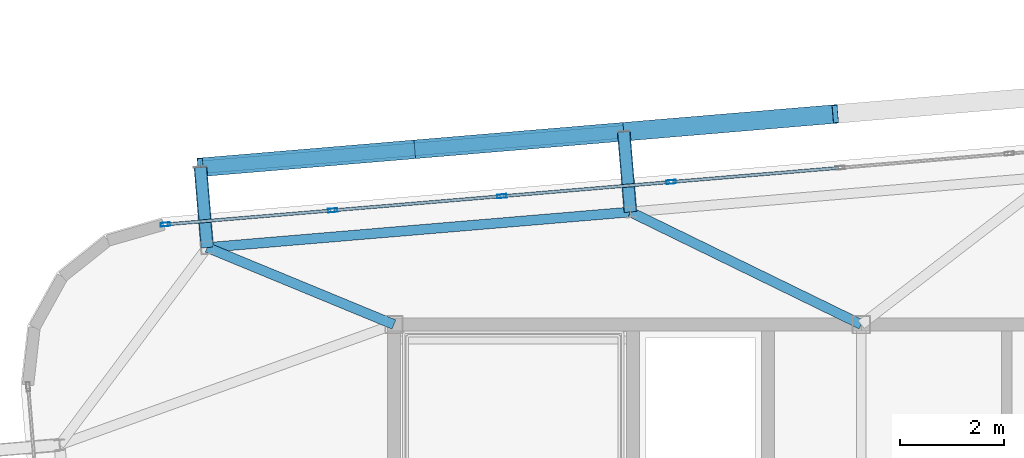
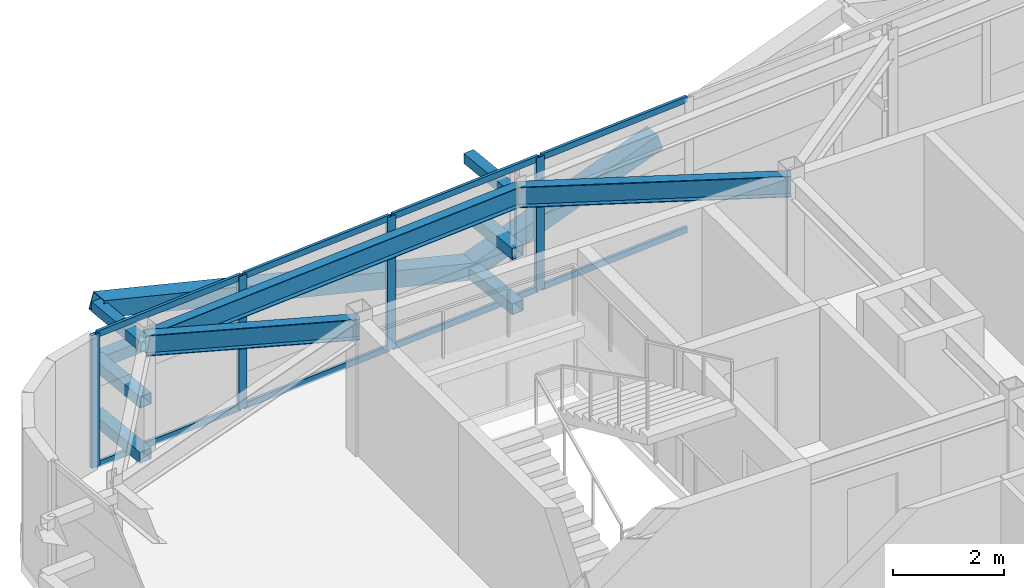
# One storey, part 27 of 46: 22 members, 3 beams, 1 element without a shape of its own.
"""IFC4 building model written with IfcOpenShell, lengths in metres."""

from ifc_helpers import new_model, si_unit, direction, frame, origin, origin_2d, place, context, subcontext, project, spatial, hollow_rectangle, i_section, extrude, source, transform, mapped, material, layer, layer_set, material_profile, profile_set, type_object, element, aggregate, save


model = new_model("IFC4")

# Units and contexts
model_context = context("Model", 3, precision=1e-05, world=origin(), true_north=direction((0.0, 1.0)))
body_context = subcontext(model_context, "Body", "Model", "MODEL_VIEW")
ifc_project = project(units=[si_unit("LENGTHUNIT", "METRE"), si_unit("AREAUNIT", "SQUARE_METRE"), si_unit("VOLUMEUNIT", "CUBIC_METRE"), si_unit("PLANEANGLEUNIT", "RADIAN"), si_unit("MASSUNIT", "GRAM", prefix="KILO")], contexts=[model_context])

# Site, building, storey
site_placement = place(None, origin())
site = spatial("IfcSite", under=ifc_project, at=site_placement, CompositionType="ELEMENT")
building_placement = place(site_placement, origin())
building = spatial("IfcBuilding", under=site, at=building_placement, Name="Taldren Reach Tower", CompositionType="ELEMENT")
storey_placement = place(building_placement, frame((0.0, 0.0, 194.60009765625)))
storey = spatial("IfcBuildingStorey", under=building, at=storey_placement, Name="L59", CompositionType="ELEMENT", Elevation=194.60009765625)

# Members
ifc_material_1 = material(Name="Steel Gr 350 (C350L0)", Category="steel")
ifc_material_profile_1 = material_profile(ifc_material_1, hollow_rectangle(XDim=0.25, YDim=0.25, WallThickness=0.010009765625, at=origin_2d()), Name="250x250x10.0SHS")
ifc_profile_set_1 = profile_set([ifc_material_profile_1], Name="Steel Gr 350 (C350L0)")
member_type_1 = type_object("IfcMemberType", Name="MB-POST250", PredefinedType="POST", material=ifc_profile_set_1)
shared_shape_1 = source(origin(), body_context, "Body", "SweptSolid", [
    extrude(hollow_rectangle(XDim=0.25, YDim=0.25, WallThickness=0.010009765625, at=origin_2d()), origin(), (0.0, 0.0, 1.0), 1.5498046875),
])
for number, where, z_axis, x_axis, name in (
    (1, (15.40380859375, 33.483642578125, 0.219970703125), (-0.083645141657, 0.996495604746, 0.0), (-0.996495604746, -0.083645141657, 0.0), "Exoskeleton base diaphragm tie strut B4-N1 L59"),
    (2, (15.40380859375, 33.483642578125, 1.434814453125), (-0.083645141657, 0.996495604746, 0.0), (-0.996495604746, -0.083645141657, 0.0), "Exoskeleton mid-tier diaphragm tie B4-N1 L59"),
):
    element("IfcMember", number, at=place(storey_placement, frame(where, z_axis=z_axis, x_axis=x_axis)), inside=storey, type_object=member_type_1, Name=name, PredefinedType="POST", context=body_context, shape_type="MappedRepresentation", body=[
        mapped(shared_shape_1, transform((0.0, 0.0, 0.0), scale=1.0)),
    ])
shared_shape_2 = source(origin(), body_context, "Body", "SweptSolid", [
    extrude(hollow_rectangle(XDim=0.25, YDim=0.25, WallThickness=0.010009765625, at=origin_2d()), origin(), (0.0, 0.0, 1.0), 1.550048828125),
])
for number, where, z_axis, x_axis, name in (
    (3, (23.55517578125, 34.16796875, 0.219970703125), (-0.083788408178, 0.996483568683, 0.0), (-0.996483568683, -0.083788408178, 0.0), "Exoskeleton base diaphragm tie strut B4-N2 L59"),
    (4, (23.55517578125, 34.16796875, 1.434814453125), (-0.083788408178, 0.996483568683, 0.0), (-0.996483568683, -0.083788408178, 0.0), "Exoskeleton mid-tier diaphragm tie B4-N2 L59"),
):
    element("IfcMember", number, at=place(storey_placement, frame(where, z_axis=z_axis, x_axis=x_axis)), inside=storey, type_object=member_type_1, Name=name, PredefinedType="POST", context=body_context, shape_type="MappedRepresentation", body=[
        mapped(shared_shape_2, transform((0.0, 0.0, 0.0), scale=1.0)),
    ])

# Beams
ifc_material_2 = material(Name="Steel Gr 350 (350PLUS)", Category="steel")
ifc_material_profile_2 = material_profile(ifc_material_2, i_section(OverallWidth=0.18994140625, OverallDepth=0.4541015625, WebThickness=0.008544921875, FlangeThickness=0.0126953125, at=origin_2d()), Name="460UB67.1")
ifc_profile_set_2 = profile_set([ifc_material_profile_2], Name="Steel Gr 350 (350PLUS)")
beam_type_1 = type_object("IfcBeamType", Name="SP-UB460B", PredefinedType="SPANDREL", material=ifc_profile_set_2)
shared_shape_3 = source(origin(), body_context, "Body", "SweptSolid", [
    extrude(i_section(OverallWidth=0.18994140625, OverallDepth=0.4541015625, WebThickness=0.008544921875, FlangeThickness=0.0126953125, at=origin_2d()), origin(), (0.0, 0.0, 1.0), 8.179931640625),
])
beam_1_placement = place(storey_placement, frame((23.55517578125, 34.16796875, 2.702880859375), z_axis=(-0.996494523218, -0.083658025296, 0.0), x_axis=(0.083658025296, -0.996494523218, 0.0)))
element("IfcBeam", 5, at=beam_1_placement, inside=storey, type_object=beam_type_1, Name="Perimeter spandrel B4 N2-N1 L59", PredefinedType="SPANDREL", context=body_context, shape_type="MappedRepresentation", body=[
    mapped(shared_shape_3, transform((0.0, 0.0, 0.0), scale=1.0)),
])
ifc_material_profile_3 = material_profile(ifc_material_2, i_section(OverallWidth=0.19091796875, OverallDepth=0.4599609375, WebThickness=0.010009765625, FlangeThickness=0.01611328125, at=origin_2d()), Name="460UB82.1")
ifc_profile_set_3 = profile_set([ifc_material_profile_3], Name="Steel Gr 350 (350PLUS)")
beam_type_2 = type_object("IfcBeamType", Name="BM-UB460A", PredefinedType="BEAM", material=ifc_profile_set_3)
shared_shape_4 = source(origin(), body_context, "Body", "SweptSolid", [
    extrude(i_section(OverallWidth=0.19091796875, OverallDepth=0.4599609375, WebThickness=0.010009765625, FlangeThickness=0.01611328125, at=origin_2d()), origin(), (0.0, 0.0, 1.0), 4.9453125),
])
beam_2_placement = place(storey_placement, frame((28.0, 32.0, 2.699951171875), z_axis=(-0.898787423235, 0.438384725823, 0.0), x_axis=(-0.438384725823, -0.898787423235, 0.0)))
element("IfcBeam", 6, at=beam_2_placement, inside=storey, type_object=beam_type_2, Name="Primary floor girder B4-N2 L59", PredefinedType="BEAM", context=body_context, shape_type="MappedRepresentation", body=[
    mapped(shared_shape_4, transform((0.0, 0.0, 0.0), scale=1.0)),
])
shared_shape_5 = source(origin(), body_context, "Body", "SweptSolid", [
    extrude(i_section(OverallWidth=0.19091796875, OverallDepth=0.4599609375, WebThickness=0.010009765625, FlangeThickness=0.01611328125, at=origin_2d()), origin(), (0.0, 0.0, 1.0), 3.89013671875),
])
beam_3_placement = place(storey_placement, frame((19.0, 32.0, 2.699951171875), z_axis=(-0.924419242179, 0.381377850287, 0.0), x_axis=(-0.381377850287, -0.924419242179, 0.0)))
element("IfcBeam", 7, at=beam_3_placement, inside=storey, type_object=beam_type_2, Name="Primary floor girder B4-N1 L59", PredefinedType="BEAM", context=body_context, shape_type="MappedRepresentation", body=[
    mapped(shared_shape_5, transform((0.0, 0.0, 0.0), scale=1.0)),
])

# Members
ifc_material_3 = material(Name="Steel Gr 450 (C450L0)", Category="steel")
ifc_material_profile_4 = material_profile(ifc_material_3, hollow_rectangle(XDim=0.219970703125, YDim=0.219970703125, WallThickness=0.00830078125, at=origin_2d()), Name="220x220x8.2SHS")
ifc_profile_set_4 = profile_set([ifc_material_profile_4], Name="Steel Gr 450 (C450L0)")
member_type_2 = type_object("IfcMemberType", Name="MB-TIE219", PredefinedType="STRUT", material=ifc_profile_set_4)
shared_shape_6 = source(origin(), body_context, "Body", "SweptSolid", [
    extrude(hollow_rectangle(XDim=0.219970703125, YDim=0.219970703125, WallThickness=0.00830078125, at=origin_2d()), origin(), (0.0, 0.0, 1.0), 1.5498046875),
])
member_1_placement = place(storey_placement, frame((15.40380859375, 33.483642578125, 2.64990234375), z_axis=(-0.083645141657, 0.996495604746, 0.0), x_axis=(-0.996495604746, -0.083645141657, 0.0)))
element("IfcMember", 8, at=member_1_placement, inside=storey, type_object=member_type_2, Name="Exoskeleton diaphragm tie strut B4-N1 L59", PredefinedType="STRUT", context=body_context, shape_type="MappedRepresentation", body=[
    mapped(shared_shape_6, transform((0.0, 0.0, 0.0), scale=1.0)),
])
shared_shape_7 = source(origin(), body_context, "Body", "SweptSolid", [
    extrude(hollow_rectangle(XDim=0.219970703125, YDim=0.219970703125, WallThickness=0.00830078125, at=origin_2d()), origin(), (0.0, 0.0, 1.0), 1.550048828125),
])
member_2_placement = place(storey_placement, frame((23.55517578125, 34.16796875, 2.64990234375), z_axis=(-0.083788408178, 0.996483568683, 0.0), x_axis=(-0.996483568683, -0.083788408178, 0.0)))
element("IfcMember", 9, at=member_2_placement, inside=storey, type_object=member_type_2, Name="Exoskeleton diaphragm tie strut B4-N2 L59", PredefinedType="STRUT", context=body_context, shape_type="MappedRepresentation", body=[
    mapped(shared_shape_7, transform((0.0, 0.0, 0.0), scale=1.0)),
])
shared_shape_8 = source(origin(), body_context, "Body", "SweptSolid", [
    extrude(hollow_rectangle(XDim=0.25, YDim=0.25, WallThickness=0.010009765625, at=origin_2d()), origin(), (0.0, 0.0, 1.0), 8.179931640625),
])
member_3_placement = place(storey_placement, frame((15.274169921875, 35.028076171875, 1.434814453125), z_axis=(0.99649182565, 0.08369015123, 0.0), x_axis=(-0.08369015123, 0.99649182565, 0.0)))
element("IfcMember", 10, at=member_3_placement, inside=storey, type_object=member_type_1, Name="Exoskeleton mid-height ring chord B4-N1 L59", PredefinedType="POST", context=body_context, shape_type="MappedRepresentation", body=[
    mapped(shared_shape_8, transform((0.0, 0.0, 0.0), scale=1.0)),
])
ifc_material_profile_5 = material_profile(ifc_material_3, hollow_rectangle(XDim=0.360107421875, YDim=0.360107421875, WallThickness=0.0126953125, at=origin_2d()), Name="360x360x12.7SHS")
ifc_profile_set_5 = profile_set([ifc_material_profile_5], Name="Steel Gr 450 (C450L0)")
member_type_3 = type_object("IfcMemberType", Name="MB-EXO356", PredefinedType="BRACE", material=ifc_profile_set_5)
shared_shape_9 = source(origin(), body_context, "Body", "SweptSolid", [
    extrude(hollow_rectangle(XDim=0.360107421875, YDim=0.360107421875, WallThickness=0.0126953125, at=origin_2d()), origin(), (0.0, 0.0, 1.0), 4.2666015625),
])
for number, where, z_axis, x_axis, name in (
    (11, (19.349853515625, 35.370361328125, 1.434814453125), (-0.955229159097, -0.080222312271, 0.284783486572), (0.083687662192, -0.996492034688, 0.0), "Exoskeleton Diagrid Brace B4-N1 L59"),
    (12, (23.42529296875, 35.712646484375, 0.219970703125), (0.955244723646, 0.080223619417, 0.284730906006), (-0.083687662192, 0.996492034688, 0.0), "Exoskeleton Diagrid Brace B4-N2 L59"),
):
    element("IfcMember", number, at=place(storey_placement, frame(where, z_axis=z_axis, x_axis=x_axis)), inside=storey, type_object=member_type_3, Name=name, PredefinedType="BRACE", context=body_context, shape_type="MappedRepresentation", body=[
        mapped(shared_shape_9, transform((0.0, 0.0, 0.0), scale=1.0)),
    ])
shared_shape_10 = source(origin(), body_context, "Body", "SweptSolid", [
    extrude(hollow_rectangle(XDim=0.360107421875, YDim=0.360107421875, WallThickness=0.0126953125, at=origin_2d()), origin(), (0.0, 0.0, 1.0), 4.266357421875),
])
member_4_placement = place(storey_placement, frame((23.42529296875, 35.712646484375, 0.219970703125), z_axis=(-0.955239715981, -0.080228004661, 0.28474647018), x_axis=(0.083692640416, -0.996491616593, 0.0)))
element("IfcMember", 13, at=member_4_placement, inside=storey, type_object=member_type_3, Name="Exoskeleton Diagrid Brace B4-N1 L59", PredefinedType="BRACE", context=body_context, shape_type="MappedRepresentation", body=[
    mapped(shared_shape_10, transform((0.0, 0.0, 0.0), scale=1.0)),
])

# Curtain wall, members
ifc_material_4 = material(Name="Aluminium and Low-E Glass Unitised System", Category="aluminium")
ifc_layer = layer(ifc_material_4, 0.159912109375)
ifc_layer_set = layer_set([ifc_layer], Name="Aluminium and Low-E Glass Unitised System")
curtain_wall_type = type_object("IfcCurtainWallType", Name="CW-SYS-5", PredefinedType="NOTDEFINED", material=ifc_layer_set)
curtain_wall_placement = place(storey_placement, origin())
curtain_wall = element("IfcCurtainWall", 14, at=curtain_wall_placement, inside=storey, type_object=curtain_wall_type, Name="Unitised curtain wall CW-L59-N", PredefinedType="NOTDEFINED")
ifc_material_5 = material(Name="Anodised Aluminium 6063-T6", Category="aluminium")
ifc_material_profile_6 = material_profile(ifc_material_5, hollow_rectangle(XDim=0.070068359375, YDim=0.179931640625, WallThickness=0.00390625, at=origin_2d()), Name="ALU-180x70x4RHS")
ifc_profile_set_6 = profile_set([ifc_material_profile_6], Name="Anodised Aluminium 6063-T6")
member_type_4 = type_object("IfcMemberType", Name="CW-MUL-180", PredefinedType="MULLION", material=ifc_profile_set_6)
shared_shape_11 = source(origin(), body_context, "Body", "SweptSolid", [
    extrude(hollow_rectangle(XDim=0.070068359375, YDim=0.179931640625, WallThickness=0.00390625, at=origin_2d()), origin(), (0.0, 0.0, 1.0), 2.929931640625),
])
member_5_placement = place(storey_placement, frame((24.337158203125, 34.74560546875, 0.0), z_axis=(0.0, 0.0, 1.0), x_axis=(0.083677875247, -0.99649285657, 0.0)))
member_5 = element("IfcMember", 15, at=member_5_placement, type_object=member_type_4, Name="CW-5 mullion 11", PredefinedType="MULLION", context=body_context, shape_type="MappedRepresentation", body=[
    mapped(shared_shape_11, transform((0.0, 0.0, 0.0), scale=1.0)),
])
member_6_placement = place(storey_placement, frame((21.079345703125, 34.471923828125, 0.0), z_axis=(0.0, 0.0, 1.0), x_axis=(0.083677875247, -0.99649285657, 0.0)))
member_6 = element("IfcMember", 16, at=member_6_placement, type_object=member_type_4, Name="CW-5 mullion 12", PredefinedType="MULLION", context=body_context, shape_type="MappedRepresentation", body=[
    mapped(shared_shape_11, transform((0.0, 0.0, 0.0), scale=1.0)),
])
member_7_placement = place(storey_placement, frame((17.82177734375, 34.198486328125, 0.0), z_axis=(0.0, 0.0, 1.0), x_axis=(0.083677875247, -0.99649285657, 0.0)))
member_7 = element("IfcMember", 17, at=member_7_placement, type_object=member_type_4, Name="CW-5 mullion 13", PredefinedType="MULLION", context=body_context, shape_type="MappedRepresentation", body=[
    mapped(shared_shape_11, transform((0.0, 0.0, 0.0), scale=1.0)),
])
member_8_placement = place(storey_placement, frame((14.598876953125, 33.927734375, 0.0), z_axis=(0.0, 0.0, 1.0), x_axis=(0.083677875247, -0.99649285657, 0.0)))
member_8 = element("IfcMember", 18, at=member_8_placement, type_object=member_type_4, Name="CW-5 mullion 14", PredefinedType="MULLION", context=body_context, shape_type="MappedRepresentation", body=[
    mapped(shared_shape_11, transform((0.0, 0.0, 0.0), scale=1.0)),
])
ifc_material_profile_7 = material_profile(ifc_material_5, hollow_rectangle(XDim=0.06005859375, YDim=0.135009765625, WallThickness=0.00341796875, at=origin_2d()), Name="ALU-135x60x3.5RHS")
ifc_profile_set_7 = profile_set([ifc_material_profile_7], Name="Anodised Aluminium 6063-T6")
member_type_5 = type_object("IfcMemberType", Name="CW-TRN-150", PredefinedType="USERDEFINED", material=ifc_profile_set_7)
shared_shape_12 = source(origin(), body_context, "Body", "SweptSolid", [
    extrude(hollow_rectangle(XDim=0.06005859375, YDim=0.135009765625, WallThickness=0.00341796875, at=origin_2d()), origin(), (0.0, 0.0, 1.0), 3.1640625),
])
member_9_placement = place(storey_placement, frame((17.786865234375, 34.195556640625, 0.02978515625), z_axis=(-0.996489659996, -0.083715933496, 0.0), x_axis=(0.083715933496, -0.996489659996, 0.0)))
member_9 = element("IfcMember", 19, at=member_9_placement, type_object=member_type_5, Name="CW-5 transom 13.1", ObjectType="TRANSOM", PredefinedType="USERDEFINED", context=body_context, shape_type="MappedRepresentation", body=[
    mapped(shared_shape_12, transform((0.0, 0.0, 0.0), scale=1.0)),
])
member_10_placement = place(storey_placement, frame((17.786865234375, 34.195556640625, 2.89990234375), z_axis=(-0.996489659996, -0.083715933496, 0.0), x_axis=(0.083715933496, -0.996489659996, 0.0)))
member_10 = element("IfcMember", 20, at=member_10_placement, type_object=member_type_5, Name="CW-5 transom 13.2", ObjectType="TRANSOM", PredefinedType="USERDEFINED", context=body_context, shape_type="MappedRepresentation", body=[
    mapped(shared_shape_12, transform((0.0, 0.0, 0.0), scale=1.0)),
])
shared_shape_13 = source(origin(), body_context, "Body", "SweptSolid", [
    extrude(hollow_rectangle(XDim=0.06005859375, YDim=0.135009765625, WallThickness=0.00341796875, at=origin_2d()), origin(), (0.0, 0.0, 1.0), 3.19921875),
])
member_11_placement = place(storey_placement, frame((27.56005859375, 35.01611328125, 0.02978515625), z_axis=(-0.996496109493, -0.083639128198, 0.0), x_axis=(0.083639128198, -0.996496109493, 0.0)))
member_11 = element("IfcMember", 21, at=member_11_placement, type_object=member_type_5, Name="CW-5 transom 10.1", ObjectType="TRANSOM", PredefinedType="USERDEFINED", context=body_context, shape_type="MappedRepresentation", body=[
    mapped(shared_shape_13, transform((0.0, 0.0, 0.0), scale=1.0)),
])
member_12_placement = place(storey_placement, frame((27.56005859375, 35.01611328125, 2.89990234375), z_axis=(-0.996496109493, -0.083639128198, 0.0), x_axis=(0.083639128198, -0.996496109493, 0.0)))
member_12 = element("IfcMember", 22, at=member_12_placement, type_object=member_type_5, Name="CW-5 transom 10.2", ObjectType="TRANSOM", PredefinedType="USERDEFINED", context=body_context, shape_type="MappedRepresentation", body=[
    mapped(shared_shape_13, transform((0.0, 0.0, 0.0), scale=1.0)),
])
member_13_placement = place(storey_placement, frame((24.30224609375, 34.74267578125, 0.02978515625), z_axis=(-0.996489746258, -0.083714906697, 0.0), x_axis=(0.083714906697, -0.996489746258, 0.0)))
member_13 = element("IfcMember", 23, at=member_13_placement, type_object=member_type_5, Name="CW-5 transom 11.1", ObjectType="TRANSOM", PredefinedType="USERDEFINED", context=body_context, shape_type="MappedRepresentation", body=[
    mapped(shared_shape_13, transform((0.0, 0.0, 0.0), scale=1.0)),
])
member_14_placement = place(storey_placement, frame((24.30224609375, 34.74267578125, 2.89990234375), z_axis=(-0.996489746258, -0.083714906697, 0.0), x_axis=(0.083714906697, -0.996489746258, 0.0)))
member_14 = element("IfcMember", 24, at=member_14_placement, type_object=member_type_5, Name="CW-5 transom 11.2", ObjectType="TRANSOM", PredefinedType="USERDEFINED", context=body_context, shape_type="MappedRepresentation", body=[
    mapped(shared_shape_13, transform((0.0, 0.0, 0.0), scale=1.0)),
])
shared_shape_14 = source(origin(), body_context, "Body", "SweptSolid", [
    extrude(hollow_rectangle(XDim=0.06005859375, YDim=0.135009765625, WallThickness=0.00341796875, at=origin_2d()), origin(), (0.0, 0.0, 1.0), 3.199462890625),
])
member_15_placement = place(storey_placement, frame((21.044677734375, 34.468994140625, 0.02978515625), z_axis=(-0.99649664328, -0.083632768285, 0.0), x_axis=(0.083632768285, -0.99649664328, 0.0)))
member_15 = element("IfcMember", 25, at=member_15_placement, type_object=member_type_5, Name="CW-5 transom 12.1", ObjectType="TRANSOM", PredefinedType="USERDEFINED", context=body_context, shape_type="MappedRepresentation", body=[
    mapped(shared_shape_14, transform((0.0, 0.0, 0.0), scale=1.0)),
])
member_16_placement = place(storey_placement, frame((21.044677734375, 34.468994140625, 2.89990234375), z_axis=(-0.99649664328, -0.083632768285, 0.0), x_axis=(0.083632768285, -0.99649664328, 0.0)))
member_16 = element("IfcMember", 26, at=member_16_placement, type_object=member_type_5, Name="CW-5 transom 12.2", ObjectType="TRANSOM", PredefinedType="USERDEFINED", context=body_context, shape_type="MappedRepresentation", body=[
    mapped(shared_shape_14, transform((0.0, 0.0, 0.0), scale=1.0)),
])
aggregate(curtain_wall, [member_5, member_6, member_7, member_8, member_11, member_12, member_13, member_14, member_15, member_16, member_9, member_10])

save(model, "model.ifc")
